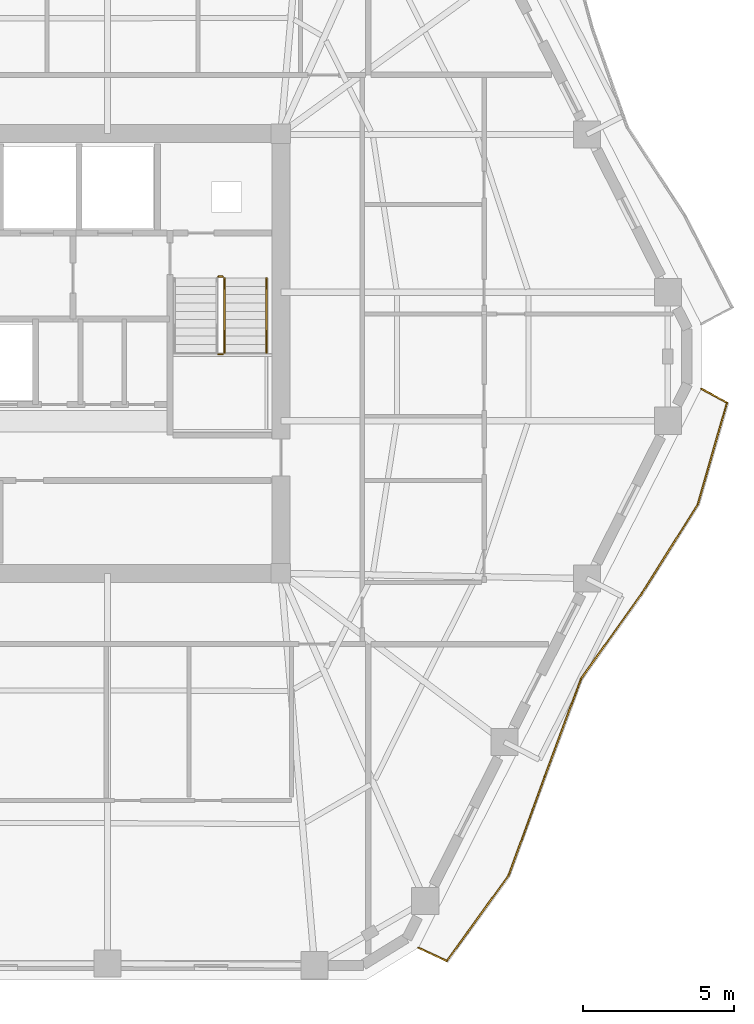
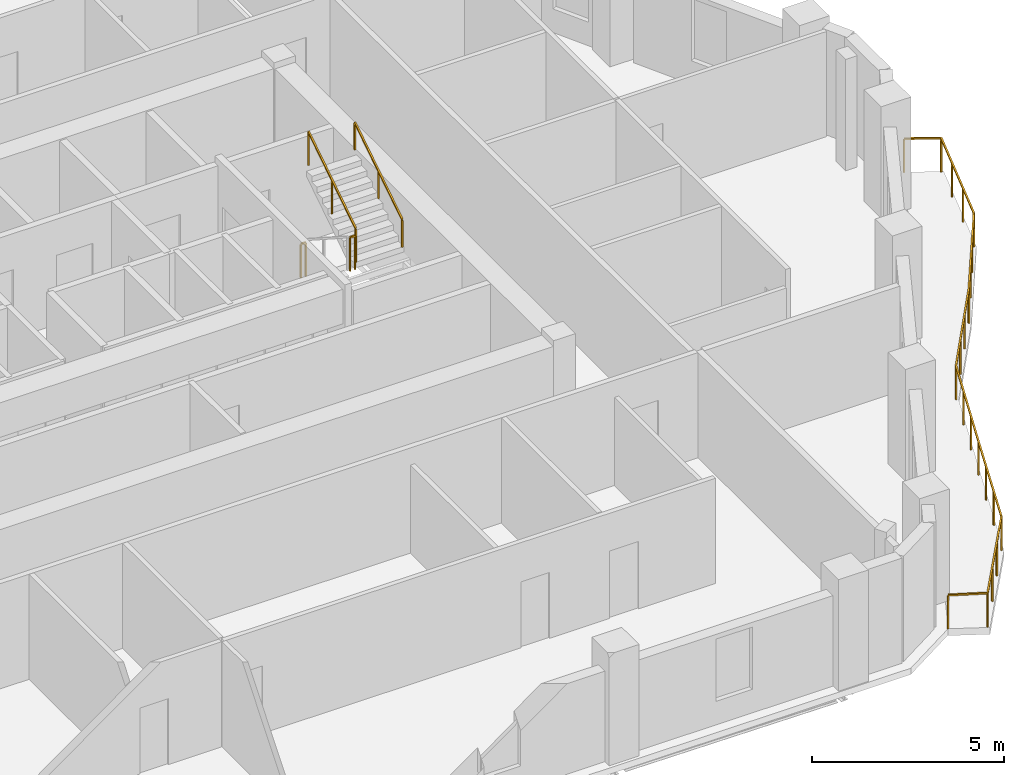
# One storey, part 11 of 12: 5 railings.
"""IFC4 building model written with IfcOpenShell, lengths in metres."""

from ifc_helpers import new_model, si_unit, direction, frame, origin, origin_2d, place, context, subcontext, project, spatial, rectangle, extrude, material, type_object, element, save


model = new_model("IFC4")

# Units and contexts
model_context = context("Model", 3, precision=1e-05, world=origin(), true_north=direction((0.0, 1.0)))
body_context = subcontext(model_context, "Body", "Model", "MODEL_VIEW")
ifc_project = project(units=[si_unit("LENGTHUNIT", "METRE"), si_unit("AREAUNIT", "SQUARE_METRE"), si_unit("VOLUMEUNIT", "CUBIC_METRE"), si_unit("PLANEANGLEUNIT", "RADIAN"), si_unit("MASSUNIT", "GRAM", prefix="KILO")], contexts=[model_context])

# Site, building, storey
site_placement = place(None, origin())
site = spatial("IfcSite", under=ifc_project, at=site_placement, CompositionType="ELEMENT")
building_placement = place(site_placement, origin())
building = spatial("IfcBuilding", under=site, at=building_placement, Name="Cinnabar Lancet Tower", CompositionType="ELEMENT")
storey_placement = place(building_placement, frame((0.0, 0.0, 193.199951171875)))
storey = spatial("IfcBuildingStorey", under=building, at=storey_placement, Name="L51", CompositionType="ELEMENT", Elevation=193.199951171875)

# Railings
ifc_material_1 = material(Name="Laminated safety glass and bronze stainless steel balustrade", Category="steel")
railing_type_1 = type_object("IfcRailingType", Name="ENV-RLG-BAL-1100", PredefinedType="BALUSTRADE", material=ifc_material_1)
railing_1_placement = place(storey_placement, frame((46.27001953125, 6.1708984375, 0.0)))
element("IfcRailing", 1, at=railing_1_placement, inside=storey, type_object=railing_type_1, Name="L51 Face 2 Wave Balcony Balustrade", PredefinedType="BALUSTRADE", context=body_context, shape_type="SweptSolid", body=[
    extrude(rectangle(XDim=0.048095703125, YDim=0.048095703125, at=origin_2d()), frame((0.0, 0.0, 1.076171875), z_axis=(0.90553244092, -0.424277030301, 0.0), x_axis=(0.424277030301, 0.90553244092, 0.0)), (0.0, 0.0, 1.0), 1.036865234375),
    extrude(rectangle(XDim=0.048095703125, YDim=0.048095703125, at=origin_2d()), frame((0.93896484375, -0.43994140625, 1.076171875), z_axis=(0.586391497776, 0.810027784299, 0.0), x_axis=(-0.810027784299, 0.586391497776, 0.0)), (0.0, 0.0, 1.0), 3.5009765625),
    extrude(rectangle(XDim=0.048095703125, YDim=0.048095703125, at=origin_2d()), frame((2.991943359375, 2.39599609375, 1.076171875), z_axis=(0.343009713963, 0.939331856229, 0.0), x_axis=(-0.939331856229, 0.343009713963, 0.0)), (0.0, 0.0, 1.0), 3.481201171875),
    extrude(rectangle(XDim=0.048095703125, YDim=0.048095703125, at=origin_2d()), frame((4.18603515625, 5.666015625, 1.076171875), z_axis=(0.347506335009, 0.937677634973, 0.0), x_axis=(-0.937677634973, 0.347506335009, 0.0)), (0.0, 0.0, 1.0), 3.47900390625),
    extrude(rectangle(XDim=0.048095703125, YDim=0.048095703125, at=origin_2d()), frame((5.39501953125, 8.92822265625, 1.076171875), z_axis=(0.580107347742, 0.814540032838, 0.0), x_axis=(-0.814540032838, 0.580107347742, 0.0)), (0.0, 0.0, 1.0), 3.493896484375),
    extrude(rectangle(XDim=0.048095703125, YDim=0.048095703125, at=origin_2d()), frame((7.421875, 11.774169921875, 1.076171875), z_axis=(0.532738685344, 0.846279796012, 0.0), x_axis=(-0.846279796012, 0.532738685344, 0.0)), (0.0, 0.0, 1.0), 3.472900390625),
    extrude(rectangle(XDim=0.048095703125, YDim=0.048095703125, at=origin_2d()), frame((9.27197265625, 14.713134765625, 1.076171875), z_axis=(0.275775244592, 0.961222146265, 0.0), x_axis=(-0.961222146265, 0.275775244592, 0.0)), (0.0, 0.0, 1.0), 3.517333984375),
    extrude(rectangle(XDim=0.048095703125, YDim=0.048095703125, at=origin_2d()), frame((10.241943359375, 18.093994140625, 1.076171875), z_axis=(-0.878633673283, 0.477496458808, 0.0), x_axis=(-0.477496458808, -0.878633673283, 0.0)), (0.0, 0.0, 1.0), 0.971923828125),
    extrude(rectangle(XDim=0.0419921875, YDim=0.0419921875, at=origin_2d()), origin(), (0.0, 0.0, 1.0), 1.052001953125),
    extrude(rectangle(XDim=0.0419921875, YDim=0.0419921875, at=origin_2d()), frame((0.93896484375, -0.43994140625, 0.0)), (0.0, 0.0, 1.0), 1.052001953125),
    extrude(rectangle(XDim=0.0419921875, YDim=0.0419921875, at=origin_2d()), frame((1.623291015625, 0.50537109375, 0.0)), (0.0, 0.0, 1.0), 1.052001953125),
    extrude(rectangle(XDim=0.0419921875, YDim=0.0419921875, at=origin_2d()), frame((2.3076171875, 1.45068359375, 0.0)), (0.0, 0.0, 1.0), 1.052001953125),
    extrude(rectangle(XDim=0.0419921875, YDim=0.0419921875, at=origin_2d()), frame((2.991943359375, 2.39599609375, 0.0)), (0.0, 0.0, 1.0), 1.052001953125),
    extrude(rectangle(XDim=0.0419921875, YDim=0.0419921875, at=origin_2d()), frame((3.389892578125, 3.486083984375, 0.0)), (0.0, 0.0, 1.0), 1.052001953125),
    extrude(rectangle(XDim=0.0419921875, YDim=0.0419921875, at=origin_2d()), frame((3.7880859375, 4.575927734375, 0.0)), (0.0, 0.0, 1.0), 1.052001953125),
    extrude(rectangle(XDim=0.0419921875, YDim=0.0419921875, at=origin_2d()), frame((4.18603515625, 5.666015625, 0.0)), (0.0, 0.0, 1.0), 1.052001953125),
    extrude(rectangle(XDim=0.0419921875, YDim=0.0419921875, at=origin_2d()), frame((4.589111328125, 6.75341796875, 0.0)), (0.0, 0.0, 1.0), 1.052001953125),
    extrude(rectangle(XDim=0.0419921875, YDim=0.0419921875, at=origin_2d()), frame((4.991943359375, 7.8408203125, 0.0)), (0.0, 0.0, 1.0), 1.052001953125),
    extrude(rectangle(XDim=0.0419921875, YDim=0.0419921875, at=origin_2d()), frame((5.39501953125, 8.92822265625, 0.0)), (0.0, 0.0, 1.0), 1.052001953125),
    extrude(rectangle(XDim=0.0419921875, YDim=0.0419921875, at=origin_2d()), frame((6.070556640625, 9.876953125, 0.0)), (0.0, 0.0, 1.0), 1.052001953125),
    extrude(rectangle(XDim=0.0419921875, YDim=0.0419921875, at=origin_2d()), frame((6.746337890625, 10.825439453125, 0.0)), (0.0, 0.0, 1.0), 1.052001953125),
    extrude(rectangle(XDim=0.0419921875, YDim=0.0419921875, at=origin_2d()), frame((7.421875, 11.774169921875, 0.0)), (0.0, 0.0, 1.0), 1.052001953125),
    extrude(rectangle(XDim=0.0419921875, YDim=0.0419921875, at=origin_2d()), frame((8.03857421875, 12.75390625, 0.0)), (0.0, 0.0, 1.0), 1.052001953125),
    extrude(rectangle(XDim=0.0419921875, YDim=0.0419921875, at=origin_2d()), frame((8.6552734375, 13.7333984375, 0.0)), (0.0, 0.0, 1.0), 1.052001953125),
    extrude(rectangle(XDim=0.0419921875, YDim=0.0419921875, at=origin_2d()), frame((9.27197265625, 14.713134765625, 0.0)), (0.0, 0.0, 1.0), 1.052001953125),
    extrude(rectangle(XDim=0.0419921875, YDim=0.0419921875, at=origin_2d()), frame((9.59521484375, 15.840087890625, 0.0)), (0.0, 0.0, 1.0), 1.052001953125),
    extrude(rectangle(XDim=0.0419921875, YDim=0.0419921875, at=origin_2d()), frame((9.918701171875, 16.967041015625, 0.0)), (0.0, 0.0, 1.0), 1.052001953125),
    extrude(rectangle(XDim=0.0419921875, YDim=0.0419921875, at=origin_2d()), frame((10.241943359375, 18.093994140625, 0.0)), (0.0, 0.0, 1.0), 1.052001953125),
    extrude(rectangle(XDim=0.0419921875, YDim=0.0419921875, at=origin_2d()), frame((9.387939453125, 18.55810546875, 0.0)), (0.0, 0.0, 1.0), 1.052001953125),
])
ifc_material_2 = material(Name="Painted galvanized steel balustrade", Category="steel")
railing_type_2 = type_object("IfcRailingType", Name="GUARD-STAIR", PredefinedType="GUARDRAIL", material=ifc_material_2)
railing_2_placement = place(storey_placement, frame((39.625, 25.875, 1.775146484375)))
element("IfcRailing", 2, at=railing_2_placement, inside=storey, type_object=railing_type_2, Name="L51 ST-2 stair guard 2", PredefinedType="GUARDRAIL", context=body_context, shape_type="SweptSolid", body=[
    extrude(rectangle(XDim=0.048095703125, YDim=0.048095703125, at=origin_2d()), frame((0.0, 0.0, 1.076171875), z_axis=(1.0, 0.0, 0.0), x_axis=(0.0, 1.0, 0.0)), (0.0, 0.0, 1.0), 0.14990234375),
    extrude(rectangle(XDim=0.0419921875, YDim=0.0419921875, at=origin_2d()), origin(), (0.0, 0.0, 1.0), 1.052001953125),
    extrude(rectangle(XDim=0.0419921875, YDim=0.0419921875, at=origin_2d()), frame((0.14990234375, 0.0, 0.0)), (0.0, 0.0, 1.0), 1.052001953125),
])
railing_3_placement = place(storey_placement, frame((39.824951171875, 25.925048828125, 1.95263671875)))
element("IfcRailing", 3, at=railing_3_placement, inside=storey, type_object=railing_type_2, Name="L51 ST-2 stair guard 3", PredefinedType="GUARDRAIL", context=body_context, shape_type="SweptSolid", body=[
    extrude(rectangle(XDim=0.048095703125, YDim=0.048095703125, at=origin_2d()), frame((0.0, 0.0, 1.076171875), z_axis=(0.0, 0.840183358697, 0.542302428327), x_axis=(-1.0, 0.0, 0.0)), (0.0, 0.0, 1.0), 2.945556640625),
    extrude(rectangle(XDim=0.0419921875, YDim=0.0419921875, at=origin_2d()), origin(), (0.0, 0.0, 1.0), 1.052001953125),
    extrude(rectangle(XDim=0.0419921875, YDim=0.0419921875, at=origin_2d()), frame((0.0, 1.2373046875, 0.798828125)), (0.0, 0.0, 1.0), 1.052001953125),
    extrude(rectangle(XDim=0.0419921875, YDim=0.0419921875, at=origin_2d()), frame((0.0, 2.474853515625, 1.597412109375)), (0.0, 0.0, 1.0), 1.052001953125),
])
railing_4_placement = place(storey_placement, frame((39.625, 28.449951171875, 0.0)))
element("IfcRailing", 4, at=railing_4_placement, inside=storey, type_object=railing_type_2, Name="L51 ST-2 stair guard 4", PredefinedType="GUARDRAIL", context=body_context, shape_type="SweptSolid", body=[
    extrude(rectangle(XDim=0.048095703125, YDim=0.048095703125, at=origin_2d()), frame((0.0, 0.0, 1.076171875), z_axis=(1.0, 0.0, 0.0), x_axis=(0.0, 1.0, 0.0)), (0.0, 0.0, 1.0), 0.14990234375),
    extrude(rectangle(XDim=0.0419921875, YDim=0.0419921875, at=origin_2d()), origin(), (0.0, 0.0, 1.0), 1.052001953125),
    extrude(rectangle(XDim=0.0419921875, YDim=0.0419921875, at=origin_2d()), frame((0.14990234375, 0.0, 0.0)), (0.0, 0.0, 1.0), 1.052001953125),
])
ifc_material_3 = material(Name="Brushed stainless steel handrail", Category="steel")
railing_type_3 = type_object("IfcRailingType", Name="HANDRAIL-STAIR", PredefinedType="HANDRAIL", material=ifc_material_3)
railing_5_placement = place(storey_placement, frame((41.22509765625, 25.925048828125, 1.95263671875)))
element("IfcRailing", 5, at=railing_5_placement, inside=storey, type_object=railing_type_3, Name="L51 ST-2 stair handrail 2", PredefinedType="HANDRAIL", context=body_context, shape_type="SweptSolid", body=[
    extrude(rectangle(XDim=0.048095703125, YDim=0.048095703125, at=origin_2d()), frame((0.0, 0.0, 0.8759765625), z_axis=(0.0, 0.840183358697, 0.542302428327), x_axis=(-1.0, 0.0, 0.0)), (0.0, 0.0, 1.0), 2.945556640625),
    extrude(rectangle(XDim=0.0419921875, YDim=0.0419921875, at=origin_2d()), origin(), (0.0, 0.0, 1.0), 0.851806640625),
    extrude(rectangle(XDim=0.0419921875, YDim=0.0419921875, at=origin_2d()), frame((0.0, 1.2373046875, 0.798828125)), (0.0, 0.0, 1.0), 0.851806640625),
    extrude(rectangle(XDim=0.0419921875, YDim=0.0419921875, at=origin_2d()), frame((0.0, 2.474853515625, 1.597412109375)), (0.0, 0.0, 1.0), 0.851806640625),
])

save(model, "model.ifc")
